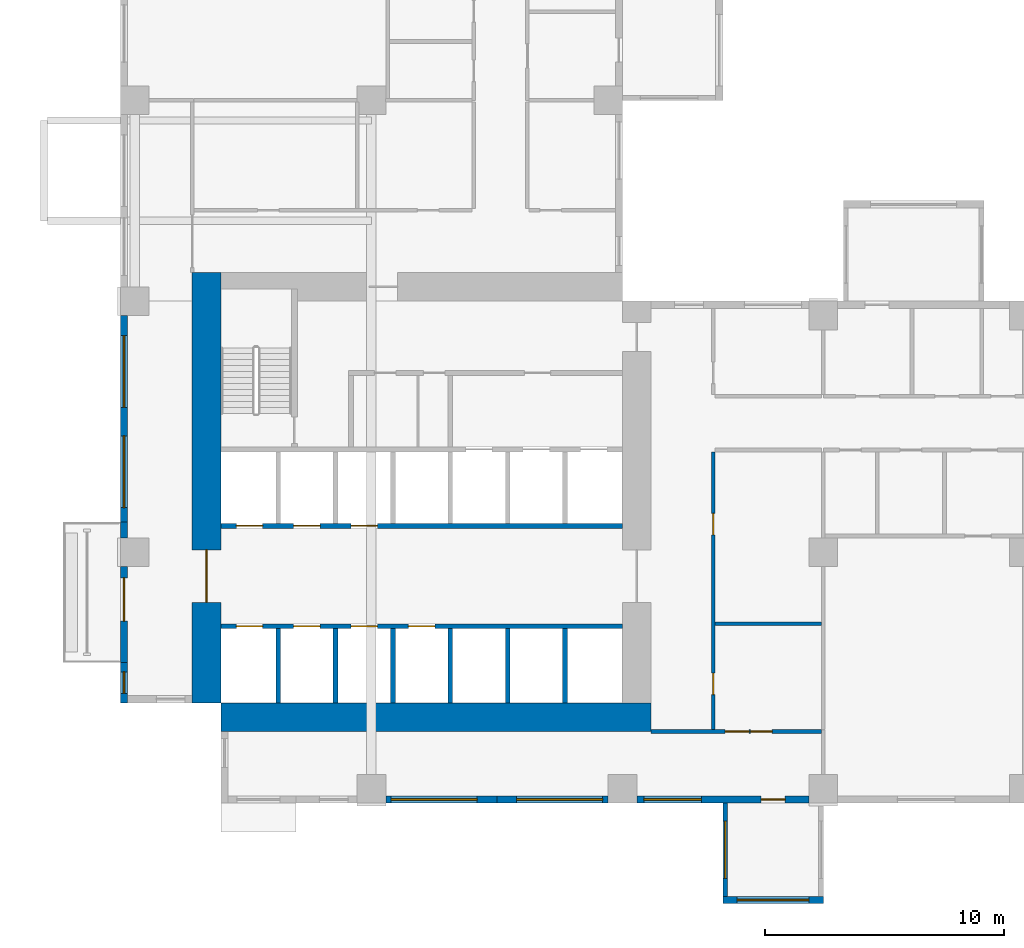
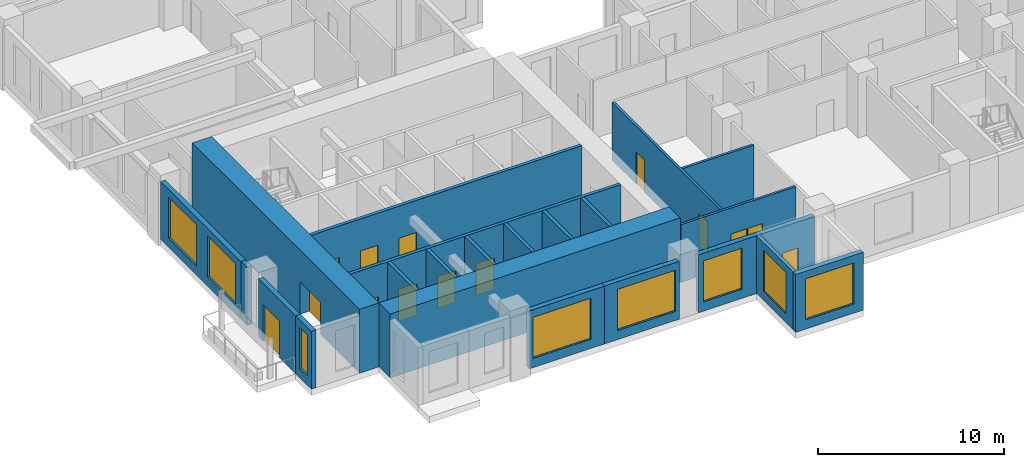
# One storey, part 2 of 15: 22 walls, 14 doors, 8 windows, 22 openings.
"""IFC4 building model written with IfcOpenShell, lengths in metres."""

from ifc_helpers import new_model, si_unit, direction, frame, frame_2d, origin, place, context, subcontext, project, spatial, rectangle, extrude, source, transform, mapped, material, layer, layer_set, type_object, element, fill, save


model = new_model("IFC4")

# Units and contexts
model_context = context("Model", 3, precision=1e-05, world=origin(), true_north=direction((0.0, 1.0)))
body_context = subcontext(model_context, "Body", "Model", "MODEL_VIEW")
ifc_project = project(units=[si_unit("LENGTHUNIT", "METRE"), si_unit("AREAUNIT", "SQUARE_METRE"), si_unit("VOLUMEUNIT", "CUBIC_METRE"), si_unit("PLANEANGLEUNIT", "RADIAN"), si_unit("MASSUNIT", "GRAM", prefix="KILO")], contexts=[model_context])

# Site, building, storey
site_placement = place(None, origin())
site = spatial("IfcSite", under=ifc_project, at=site_placement, CompositionType="ELEMENT")
building_placement = place(site_placement, origin())
building = spatial("IfcBuilding", under=site, at=building_placement, Name="Aurelian Terraces", CompositionType="ELEMENT")
storey_placement = place(building_placement, frame((0.0, 0.0, 82.5)))
storey = spatial("IfcBuildingStorey", under=building, at=storey_placement, Name="L17", CompositionType="ELEMENT", Elevation=82.5)

# Wall, openings, windows
ifc_material_1 = material(Name="Terracotta rainscreen cladding", Category="masonry")
ifc_layer_1 = layer(ifc_material_1, 0.3)
ifc_layer_set_1 = layer_set([ifc_layer_1], Name="EW-300")
wall_type_1 = type_object("IfcWallType", Name="EW-300", PredefinedType="STANDARD", material=ifc_layer_set_1)
wall_1_placement = place(storey_placement, frame((0.15, 20.4, 0.0), z_axis=(0.0, 0.0, 1.0), x_axis=(0.0, -1.0, 0.0)))
wall_1 = element("IfcWall", 1, at=wall_1_placement, inside=storey, type_object=wall_type_1, Name="External wall L17 F14.33", PredefinedType="STANDARD", context=body_context, shape_type="SweptSolid", body=[
    extrude(rectangle(XDim=8.64, YDim=0.3, at=frame_2d((4.32, 0.0))), origin(), (0.0, 0.0, 1.0), 3.8),
])
shared_shape_1 = source(origin(), body_context, "Body", "SweptSolid", [
    extrude(rectangle(XDim=3.0, YDim=2.7, at=frame_2d((1.5, 1.35))), frame((0.0, 0.16, 0.0), z_axis=(0.0, -1.0, 0.0), x_axis=(1.0, 0.0, 0.0)), (0.0, 0.0, 1.0), 0.32),
])
opening_1_placement = place(wall_1_placement, frame((0.84, 0.0, 0.6)))
opening_1 = element("IfcOpeningElement", 2, at=opening_1_placement, cuts=wall_1, Name="Opening W3027", PredefinedType="OPENING", context=body_context, shape_type="MappedRepresentation", body=[
    mapped(shared_shape_1, transform((0.0, 0.0, 0.0), scale=1.0)),
])
opening_2_placement = place(wall_1_placement, frame((5.04, 0.0, 0.6)))
opening_2 = element("IfcOpeningElement", 3, at=opening_2_placement, cuts=wall_1, Name="Opening W3027", PredefinedType="OPENING", context=body_context, shape_type="MappedRepresentation", body=[
    mapped(shared_shape_1, transform((0.0, 0.0, 0.0), scale=1.0)),
])
ifc_material_2 = material(Name="Clear glazing", Category="glass")
window_type_1 = type_object("IfcWindowType", Name="W-3000x2700", PartitioningType="SINGLE_PANEL", PredefinedType="WINDOW", material=ifc_material_2)
shared_shape_2 = source(origin(), body_context, "Body", "SweptSolid", [
    extrude(rectangle(XDim=3.0, YDim=2.7, at=frame_2d((1.5, 1.35))), frame((0.0, 0.03, 0.0), z_axis=(0.0, -1.0, 0.0), x_axis=(1.0, 0.0, 0.0)), (0.0, 0.0, 1.0), 0.06),
])
window_1_placement = place(opening_1_placement, origin())
window_1 = element("IfcWindow", 4, at=window_1_placement, inside=storey, type_object=window_type_1, Name="Window L17 L17-F14-33-8", OverallHeight=2.7, OverallWidth=3.0, PartitioningType="SINGLE_PANEL", PredefinedType="WINDOW", context=body_context, shape_type="MappedRepresentation", body=[
    mapped(shared_shape_2, transform((0.0, 0.0, 0.0), scale=1.0)),
])
fill(opening_1, window_1)
window_2_placement = place(opening_2_placement, origin())
window_2 = element("IfcWindow", 5, at=window_2_placement, inside=storey, type_object=window_type_1, Name="Window L17 L17-F14-33-9", OverallHeight=2.7, OverallWidth=3.0, PartitioningType="SINGLE_PANEL", PredefinedType="WINDOW", context=body_context, shape_type="MappedRepresentation", body=[
    mapped(shared_shape_2, transform((0.0, 0.0, 0.0), scale=1.0)),
])
fill(opening_2, window_2)

# Wall
wall_2_placement = place(storey_placement, frame((0.15, 11.76, 0.0), z_axis=(0.0, 0.0, 1.0), x_axis=(0.0, -1.0, 0.0)))
element("IfcWall", 6, at=wall_2_placement, inside=storey, type_object=wall_type_1, Name="External wall L17 F14.34", PredefinedType="STANDARD", context=body_context, shape_type="SweptSolid", body=[
    extrude(rectangle(XDim=0.66, YDim=0.3, at=frame_2d((0.33, 0.0))), origin(), (0.0, 0.0, 1.0), 3.8),
])

# Wall, opening, door
wall_3_placement = place(storey_placement, frame((0.15, 9.9, 0.0), z_axis=(0.0, 0.0, 1.0), x_axis=(0.0, -1.0, 0.0)))
wall_3 = element("IfcWall", 7, at=wall_3_placement, inside=storey, type_object=wall_type_1, Name="External wall L17 F14.34", PredefinedType="STANDARD", context=body_context, shape_type="SweptSolid", body=[
    extrude(rectangle(XDim=4.02, YDim=0.3, at=frame_2d((2.01, 0.0))), origin(), (0.0, 0.0, 1.0), 3.8),
])
shared_shape_3 = source(origin(), body_context, "Body", "SweptSolid", [
    extrude(rectangle(XDim=1.8, YDim=2.4, at=frame_2d((0.9, 1.2))), frame((0.0, 0.16, 0.0), z_axis=(0.0, -1.0, 0.0), x_axis=(1.0, 0.0, 0.0)), (0.0, 0.0, 1.0), 0.32),
])
opening_3_placement = place(wall_3_placement, frame((0.48, 0.0, 0.0)))
opening_3 = element("IfcOpeningElement", 8, at=opening_3_placement, cuts=wall_3, Name="Opening 81704", PredefinedType="OPENING", context=body_context, shape_type="MappedRepresentation", body=[
    mapped(shared_shape_3, transform((0.0, 0.0, 0.0), scale=1.0)),
])
door_type_1 = type_object("IfcDoorType", Name="BD-1800x2400", OperationType="SLIDING_TO_LEFT", PredefinedType="DOOR", material=ifc_material_2)
shared_shape_4 = source(origin(), body_context, "Body", "SweptSolid", [
    extrude(rectangle(XDim=1.8, YDim=2.4, at=frame_2d((0.9, 1.2))), frame((0.0, 0.025, 0.0), z_axis=(0.0, -1.0, 0.0), x_axis=(1.0, 0.0, 0.0)), (0.0, 0.0, 1.0), 0.05),
])
door_1_placement = place(opening_3_placement, origin())
door_1 = element("IfcDoor", 9, at=door_1_placement, inside=storey, type_object=door_type_1, Name="Balcony door L17 F14.34", OperationType="SLIDING_TO_LEFT", OverallHeight=2.4, OverallWidth=1.8, PredefinedType="DOOR", context=body_context, shape_type="MappedRepresentation", body=[
    mapped(shared_shape_4, transform((0.0, 0.0, 0.0), scale=1.0)),
])
fill(opening_3, door_1)

ifc_material_3 = material(Name="Concrete fc' 83 MPa", Category="concrete")
ifc_layer_2 = layer(ifc_material_3, 1.2)
ifc_layer_set_2 = layer_set([ifc_layer_2], Name="CORE WALL 1200 FC83")
wall_type_2 = type_object("IfcWallType", Name="CORE WALL 1200 FC83", PredefinedType="SHEAR", material=ifc_layer_set_2)
shared_shape_5 = source(origin(), body_context, "Body", "SweptSolid", [
    extrude(rectangle(XDim=18.0, YDim=1.2, at=frame_2d((9.0, 0.0))), origin(), (0.0, 0.0, 1.0), 4.2),
])
wall_4_placement = place(storey_placement, frame((3.6, 4.2, 0.0), z_axis=(0.0, 0.0, 1.0), x_axis=(0.0, 1.0, 0.0)))
wall_4 = element("IfcWall", 10, at=wall_4_placement, inside=storey, type_object=wall_type_2, Name="Core wall W L17", PredefinedType="SHEAR", context=body_context, shape_type="MappedRepresentation", body=[
    mapped(shared_shape_5, transform((0.0, 0.0, 0.0), scale=1.0)),
])
shared_shape_6 = source(origin(), body_context, "Body", "SweptSolid", [
    extrude(rectangle(XDim=2.2, YDim=2.1, at=frame_2d((1.1, 1.05))), frame((0.0, 0.61, 0.0), z_axis=(0.0, -1.0, 0.0), x_axis=(1.0, 0.0, 0.0)), (0.0, 0.0, 1.0), 1.22),
])
opening_4_placement = place(wall_4_placement, frame((4.2, 0.0, 0.0)))
opening_4 = element("IfcOpeningElement", 11, at=opening_4_placement, cuts=wall_4, Name="Opening 62021", PredefinedType="OPENING", context=body_context, shape_type="MappedRepresentation", body=[
    mapped(shared_shape_6, transform((0.0, 0.0, 0.0), scale=1.0)),
])
ifc_material_4 = material(Name="Steel door leaf", Category="steel")
door_type_2 = type_object("IfcDoorType", Name="Core double door 2200x2100", OperationType="DOUBLE_DOOR_SINGLE_SWING", PredefinedType="DOOR", material=ifc_material_4)
shared_shape_7 = source(origin(), body_context, "Body", "SweptSolid", [
    extrude(rectangle(XDim=2.2, YDim=2.1, at=frame_2d((1.1, 1.05))), frame((0.0, 0.025, 0.0), z_axis=(0.0, -1.0, 0.0), x_axis=(1.0, 0.0, 0.0)), (0.0, 0.0, 1.0), 0.05),
])
door_2_placement = place(opening_4_placement, origin())
door_2 = element("IfcDoor", 12, at=door_2_placement, inside=storey, type_object=door_type_2, Name="Core door 62021", OperationType="DOUBLE_DOOR_SINGLE_SWING", OverallHeight=2.1, OverallWidth=2.2, PredefinedType="DOOR", context=body_context, shape_type="MappedRepresentation", body=[
    mapped(shared_shape_7, transform((0.0, 0.0, 0.0), scale=1.0)),
])
fill(opening_4, door_2)

# Wall
wall_5_placement = place(storey_placement, frame((4.2, 3.6, 0.0), z_axis=(0.0, 0.0, 1.0), x_axis=(1.0, 0.0, 0.0)))
element("IfcWall", 13, at=wall_5_placement, inside=storey, type_object=wall_type_2, Name="Core wall S L17", PredefinedType="SHEAR", context=body_context, shape_type="MappedRepresentation", body=[
    mapped(shared_shape_5, transform((0.0, 0.0, 0.0), scale=1.0)),
])

# Wall, opening, window
shared_shape_8 = source(origin(), body_context, "Body", "SweptSolid", [
    extrude(rectangle(XDim=4.65, YDim=0.3, at=frame_2d((2.325, 0.0))), origin(), (0.0, 0.0, 1.0), 3.8),
])
wall_6_placement = place(storey_placement, frame((11.1, 0.15, 0.0), z_axis=(0.0, 0.0, 1.0), x_axis=(1.0, 0.0, 0.0)))
wall_6 = element("IfcWall", 14, at=wall_6_placement, inside=storey, type_object=wall_type_1, Name="External wall L17 F01.3", PredefinedType="STANDARD", context=body_context, shape_type="MappedRepresentation", body=[
    mapped(shared_shape_8, transform((0.0, 0.0, 0.0), scale=1.0)),
])
shared_shape_9 = source(origin(), body_context, "Body", "SweptSolid", [
    extrude(rectangle(XDim=3.6, YDim=2.7, at=frame_2d((1.8, 1.35))), frame((0.0, 0.16, 0.0), z_axis=(0.0, -1.0, 0.0), x_axis=(1.0, 0.0, 0.0)), (0.0, 0.0, 1.0), 0.32),
])
opening_5_placement = place(wall_6_placement, frame((0.225, 0.0, 0.6)))
opening_5 = element("IfcOpeningElement", 15, at=opening_5_placement, cuts=wall_6, Name="Opening W3627", PredefinedType="OPENING", context=body_context, shape_type="MappedRepresentation", body=[
    mapped(shared_shape_9, transform((0.0, 0.0, 0.0), scale=1.0)),
])
window_type_2 = type_object("IfcWindowType", Name="W-3600x2700", PartitioningType="SINGLE_PANEL", PredefinedType="WINDOW", material=ifc_material_2)
shared_shape_10 = source(origin(), body_context, "Body", "SweptSolid", [
    extrude(rectangle(XDim=3.6, YDim=2.7, at=frame_2d((1.8, 1.35))), frame((0.0, 0.03, 0.0), z_axis=(0.0, -1.0, 0.0), x_axis=(1.0, 0.0, 0.0)), (0.0, 0.0, 1.0), 0.06),
])
window_3_placement = place(opening_5_placement, origin())
window_3 = element("IfcWindow", 16, at=window_3_placement, inside=storey, type_object=window_type_2, Name="Window L17 L17-F01-03-0", OverallHeight=2.7, OverallWidth=3.6, PartitioningType="SINGLE_PANEL", PredefinedType="WINDOW", context=body_context, shape_type="MappedRepresentation", body=[
    mapped(shared_shape_10, transform((0.0, 0.0, 0.0), scale=1.0)),
])
fill(opening_5, window_3)

wall_7_placement = place(storey_placement, frame((15.75, 0.15, 0.0), z_axis=(0.0, 0.0, 1.0), x_axis=(1.0, 0.0, 0.0)))
wall_7 = element("IfcWall", 17, at=wall_7_placement, inside=storey, type_object=wall_type_1, Name="External wall L17 F01.4", PredefinedType="STANDARD", context=body_context, shape_type="MappedRepresentation", body=[
    mapped(shared_shape_8, transform((0.0, 0.0, 0.0), scale=1.0)),
])
opening_6_placement = place(wall_7_placement, frame((0.825, 0.0, 0.6)))
opening_6 = element("IfcOpeningElement", 18, at=opening_6_placement, cuts=wall_7, Name="Opening W3627", PredefinedType="OPENING", context=body_context, shape_type="MappedRepresentation", body=[
    mapped(shared_shape_9, transform((0.0, 0.0, 0.0), scale=1.0)),
])
window_4_placement = place(opening_6_placement, origin())
window_4 = element("IfcWindow", 19, at=window_4_placement, inside=storey, type_object=window_type_2, Name="Window L17 L17-F01-04-0", OverallHeight=2.7, OverallWidth=3.6, PartitioningType="SINGLE_PANEL", PredefinedType="WINDOW", context=body_context, shape_type="MappedRepresentation", body=[
    mapped(shared_shape_10, transform((0.0, 0.0, 0.0), scale=1.0)),
])
fill(opening_6, window_4)

# Wall, openings, window, door
shared_shape_11 = source(origin(), body_context, "Body", "SweptSolid", [
    extrude(rectangle(XDim=7.2, YDim=0.3, at=frame_2d((3.6, 0.0))), origin(), (0.0, 0.0, 1.0), 3.8),
])
wall_8_placement = place(storey_placement, frame((21.6, 0.15, 0.0), z_axis=(0.0, 0.0, 1.0), x_axis=(1.0, 0.0, 0.0)))
wall_8 = element("IfcWall", 20, at=wall_8_placement, inside=storey, type_object=wall_type_1, Name="External wall L17 F01.5", PredefinedType="STANDARD", context=body_context, shape_type="MappedRepresentation", body=[
    mapped(shared_shape_11, transform((0.0, 0.0, 0.0), scale=1.0)),
])
shared_shape_12 = source(origin(), body_context, "Body", "SweptSolid", [
    extrude(rectangle(XDim=2.4, YDim=2.7, at=frame_2d((1.2, 1.35))), frame((0.0, 0.16, 0.0), z_axis=(0.0, -1.0, 0.0), x_axis=(1.0, 0.0, 0.0)), (0.0, 0.0, 1.0), 0.32),
])
opening_7_placement = place(wall_8_placement, frame((0.3, 0.0, 0.6)))
opening_7 = element("IfcOpeningElement", 21, at=opening_7_placement, cuts=wall_8, Name="Opening W2427", PredefinedType="OPENING", context=body_context, shape_type="MappedRepresentation", body=[
    mapped(shared_shape_12, transform((0.0, 0.0, 0.0), scale=1.0)),
])
shared_shape_13 = source(origin(), body_context, "Body", "SweptSolid", [
    extrude(rectangle(XDim=1.0, YDim=2.1, at=frame_2d((0.5, 1.05))), frame((0.0, 0.16, 0.0), z_axis=(0.0, -1.0, 0.0), x_axis=(1.0, 0.0, 0.0)), (0.0, 0.0, 1.0), 0.32),
])
opening_8_placement = place(wall_8_placement, frame((5.2, 0.0, 0.0)))
opening_8 = element("IfcOpeningElement", 22, at=opening_8_placement, cuts=wall_8, Name="Opening 817001", PredefinedType="OPENING", context=body_context, shape_type="MappedRepresentation", body=[
    mapped(shared_shape_13, transform((0.0, 0.0, 0.0), scale=1.0)),
])
window_type_3 = type_object("IfcWindowType", Name="W-2400x2700", PartitioningType="SINGLE_PANEL", PredefinedType="WINDOW", material=ifc_material_2)
shared_shape_14 = source(origin(), body_context, "Body", "SweptSolid", [
    extrude(rectangle(XDim=2.4, YDim=2.7, at=frame_2d((1.2, 1.35))), frame((0.0, 0.03, 0.0), z_axis=(0.0, -1.0, 0.0), x_axis=(1.0, 0.0, 0.0)), (0.0, 0.0, 1.0), 0.06),
])
window_5_placement = place(opening_7_placement, origin())
window_5 = element("IfcWindow", 23, at=window_5_placement, inside=storey, type_object=window_type_3, Name="Window L17 L17-F01-05-0", OverallHeight=2.7, OverallWidth=2.4, PartitioningType="SINGLE_PANEL", PredefinedType="WINDOW", context=body_context, shape_type="MappedRepresentation", body=[
    mapped(shared_shape_14, transform((0.0, 0.0, 0.0), scale=1.0)),
])
fill(opening_7, window_5)
ifc_material_5 = material(Name="Timber door leaf", Category="wood")
door_type_3 = type_object("IfcDoorType", Name="Room door 1000x2100 left", OperationType="SINGLE_SWING_LEFT", PredefinedType="DOOR", material=ifc_material_5)
shared_shape_15 = source(origin(), body_context, "Body", "SweptSolid", [
    extrude(rectangle(XDim=1.0, YDim=2.1, at=frame_2d((0.5, 1.05))), frame((0.0, 0.025, 0.0), z_axis=(0.0, -1.0, 0.0), x_axis=(1.0, 0.0, 0.0)), (0.0, 0.0, 1.0), 0.05),
])
door_3_placement = place(opening_8_placement, origin())
door_3 = element("IfcDoor", 24, at=door_3_placement, inside=storey, type_object=door_type_3, Name="Door 817001", OperationType="SINGLE_SWING_LEFT", OverallHeight=2.1, OverallWidth=1.0, PredefinedType="DOOR", context=body_context, shape_type="MappedRepresentation", body=[
    mapped(shared_shape_15, transform((0.0, 0.0, 0.0), scale=1.0)),
])
fill(opening_8, door_3)

# Wall, opening, window
shared_shape_16 = source(origin(), body_context, "Body", "SweptSolid", [
    extrude(rectangle(XDim=1.68, YDim=0.3, at=frame_2d((0.84, 0.0))), origin(), (0.0, 0.0, 1.0), 3.8),
])
wall_9_placement = place(storey_placement, frame((0.15, 5.88, 0.0), z_axis=(0.0, 0.0, 1.0), x_axis=(0.0, -1.0, 0.0)))
wall_9 = element("IfcWall", 25, at=wall_9_placement, inside=storey, type_object=wall_type_1, Name="External wall L17 F14.35", PredefinedType="STANDARD", context=body_context, shape_type="MappedRepresentation", body=[
    mapped(shared_shape_16, transform((0.0, 0.0, 0.0), scale=1.0)),
])
shared_shape_17 = source(origin(), body_context, "Body", "SweptSolid", [
    extrude(rectangle(XDim=0.9, YDim=2.7, at=frame_2d((0.45, 1.35))), frame((0.0, 0.16, 0.0), z_axis=(0.0, -1.0, 0.0), x_axis=(1.0, 0.0, 0.0)), (0.0, 0.0, 1.0), 0.32),
])
opening_9_placement = place(wall_9_placement, frame((0.39, 0.0, 0.6)))
opening_9 = element("IfcOpeningElement", 26, at=opening_9_placement, cuts=wall_9, Name="Opening W0927", PredefinedType="OPENING", context=body_context, shape_type="MappedRepresentation", body=[
    mapped(shared_shape_17, transform((0.0, 0.0, 0.0), scale=1.0)),
])
window_type_4 = type_object("IfcWindowType", Name="W-900x2700", PartitioningType="SINGLE_PANEL", PredefinedType="WINDOW", material=ifc_material_2)
shared_shape_18 = source(origin(), body_context, "Body", "SweptSolid", [
    extrude(rectangle(XDim=0.9, YDim=2.7, at=frame_2d((0.45, 1.35))), frame((0.0, 0.03, 0.0), z_axis=(0.0, -1.0, 0.0), x_axis=(1.0, 0.0, 0.0)), (0.0, 0.0, 1.0), 0.06),
])
window_6_placement = place(opening_9_placement, origin())
window_6 = element("IfcWindow", 27, at=window_6_placement, inside=storey, type_object=window_type_4, Name="Window L17 L17-F14-35-P0", OverallHeight=2.7, OverallWidth=0.9, PartitioningType="SINGLE_PANEL", PredefinedType="WINDOW", context=body_context, shape_type="MappedRepresentation", body=[
    mapped(shared_shape_18, transform((0.0, 0.0, 0.0), scale=1.0)),
])
fill(opening_9, window_6)

ifc_material_6 = material(Name="Concrete fc' 40 MPa", Category="concrete")
ifc_layer_3 = layer(ifc_material_6, 0.2)
ifc_layer_set_3 = layer_set([ifc_layer_3], Name="BOX BEARING WALL 200")
wall_type_3 = type_object("IfcWallType", Name="BOX BEARING WALL 200", PredefinedType="SOLIDWALL", material=ifc_layer_set_3)
shared_shape_19 = source(origin(), body_context, "Body", "SweptSolid", [
    extrude(rectangle(XDim=3.9, YDim=0.2, at=frame_2d((1.95, 0.0))), origin(), (0.0, 0.0, 1.0), 3.8),
])
wall_10_placement = place(storey_placement, frame((25.3, 0.0, 0.0), z_axis=(0.0, 0.0, 1.0), x_axis=(0.0, -1.0, 0.0)))
wall_10 = element("IfcWall", 28, at=wall_10_placement, inside=storey, type_object=wall_type_3, Name="Box return L17 J19.1", PredefinedType="SOLIDWALL", context=body_context, shape_type="MappedRepresentation", body=[
    mapped(shared_shape_19, transform((0.0, 0.0, 0.0), scale=1.0)),
])
shared_shape_20 = source(origin(), body_context, "Body", "SweptSolid", [
    extrude(rectangle(XDim=2.4, YDim=2.7, at=frame_2d((1.2, 1.35))), frame((0.0, 0.11, 0.0), z_axis=(0.0, -1.0, 0.0), x_axis=(1.0, 0.0, 0.0)), (0.0, 0.0, 1.0), 0.22),
])
opening_10_placement = place(wall_10_placement, frame((0.75, 0.0, 0.6)))
opening_10 = element("IfcOpeningElement", 29, at=opening_10_placement, cuts=wall_10, Name="Opening W2427", PredefinedType="OPENING", context=body_context, shape_type="MappedRepresentation", body=[
    mapped(shared_shape_20, transform((0.0, 0.0, 0.0), scale=1.0)),
])
window_7_placement = place(opening_10_placement, origin())
window_7 = element("IfcWindow", 30, at=window_7_placement, inside=storey, type_object=window_type_3, Name="Window L17 J19-S1", OverallHeight=2.7, OverallWidth=2.4, PartitioningType="SINGLE_PANEL", PredefinedType="WINDOW", context=body_context, shape_type="MappedRepresentation", body=[
    mapped(shared_shape_14, transform((0.0, 0.0, 0.0), scale=1.0)),
])
fill(opening_10, window_7)

ifc_layer_4 = layer(ifc_material_6, 0.3)
ifc_layer_set_4 = layer_set([ifc_layer_4], Name="BOX BEARING WALL 300")
wall_type_4 = type_object("IfcWallType", Name="BOX BEARING WALL 300", PredefinedType="SOLIDWALL", material=ifc_layer_set_4)
shared_shape_21 = source(origin(), body_context, "Body", "SweptSolid", [
    extrude(rectangle(XDim=4.2, YDim=0.3, at=frame_2d((2.1, 0.0))), origin(), (0.0, 0.0, 1.0), 3.8),
])
wall_11_placement = place(storey_placement, frame((25.2, -4.05, 0.0), z_axis=(0.0, 0.0, 1.0), x_axis=(1.0, 0.0, 0.0)))
wall_11 = element("IfcWall", 31, at=wall_11_placement, inside=storey, type_object=wall_type_4, Name="Box wall L17 J19", PredefinedType="SOLIDWALL", context=body_context, shape_type="MappedRepresentation", body=[
    mapped(shared_shape_21, transform((0.0, 0.0, 0.0), scale=1.0)),
])
opening_11_placement = place(wall_11_placement, frame((0.6, 0.0, 0.6)))
opening_11 = element("IfcOpeningElement", 32, at=opening_11_placement, cuts=wall_11, Name="Opening W3027", PredefinedType="OPENING", context=body_context, shape_type="MappedRepresentation", body=[
    mapped(shared_shape_1, transform((0.0, 0.0, 0.0), scale=1.0)),
])
window_8_placement = place(opening_11_placement, origin())
window_8 = element("IfcWindow", 33, at=window_8_placement, inside=storey, type_object=window_type_1, Name="Window L17 J19-F1", OverallHeight=2.7, OverallWidth=3.0, PartitioningType="SINGLE_PANEL", PredefinedType="WINDOW", context=body_context, shape_type="MappedRepresentation", body=[
    mapped(shared_shape_2, transform((0.0, 0.0, 0.0), scale=1.0)),
])
fill(opening_11, window_8)

# Walls
ifc_layer_5 = layer(ifc_material_6, 0.2)
ifc_layer_set_5 = layer_set([ifc_layer_5], Name="Lift shaft wall 200")
wall_type_5 = type_object("IfcWallType", Name="Lift shaft wall 200", PredefinedType="SOLIDWALL", material=ifc_layer_set_5)
shared_shape_22 = source(origin(), body_context, "Body", "SweptSolid", [
    extrude(rectangle(XDim=3.1, YDim=0.2, at=frame_2d((1.55, 0.0))), origin(), (0.0, 0.0, 1.0), 4.2),
])
for number, where, z_axis, x_axis, name in (
    (34, (6.6, 4.2, 0.0), (0.0, 0.0, 1.0), (0.0, 1.0, 0.0), "L17 core wall CD-A1"),
    (35, (9.0, 4.2, 0.0), (0.0, 0.0, 1.0), (0.0, 1.0, 0.0), "L17 core wall CD-A2"),
    (36, (11.4, 4.2, 0.0), (0.0, 0.0, 1.0), (0.0, 1.0, 0.0), "L17 core wall CD-A3"),
    (37, (13.8, 4.2, 0.0), (0.0, 0.0, 1.0), (0.0, 1.0, 0.0), "L17 core wall CD-A4"),
    (38, (16.2, 4.2, 0.0), (0.0, 0.0, 1.0), (0.0, 1.0, 0.0), "L17 core wall CD-A5"),
    (39, (18.6, 4.2, 0.0), (0.0, 0.0, 1.0), (0.0, 1.0, 0.0), "L17 core wall CD-A6"),
):
    element("IfcWall", number, at=place(storey_placement, frame(where, z_axis=z_axis, x_axis=x_axis)), inside=storey, type_object=wall_type_5, Name=name, PredefinedType="SOLIDWALL", context=body_context, shape_type="MappedRepresentation", body=[
        mapped(shared_shape_22, transform((0.0, 0.0, 0.0), scale=1.0)),
    ])

# Wall, openings, doors
shared_shape_23 = source(origin(), body_context, "Body", "SweptSolid", [
    extrude(rectangle(XDim=16.8, YDim=0.2, at=frame_2d((8.4, 0.0))), origin(), (0.0, 0.0, 1.0), 4.2),
])
wall_12_placement = place(storey_placement, frame((4.2, 7.4, 0.0), z_axis=(0.0, 0.0, 1.0), x_axis=(1.0, 0.0, 0.0)))
wall_12 = element("IfcWall", 40, at=wall_12_placement, inside=storey, type_object=wall_type_5, Name="L17 core wall CF-AF1", PredefinedType="SOLIDWALL", context=body_context, shape_type="MappedRepresentation", body=[
    mapped(shared_shape_23, transform((0.0, 0.0, 0.0), scale=1.0)),
])
shared_shape_24 = source(origin(), body_context, "Body", "SweptSolid", [
    extrude(rectangle(XDim=1.1, YDim=2.1, at=frame_2d((0.55, 1.05))), frame((0.0, 0.11, 0.0), z_axis=(0.0, -1.0, 0.0), x_axis=(1.0, 0.0, 0.0)), (0.0, 0.0, 1.0), 0.22),
])
opening_12_placement = place(wall_12_placement, frame((0.65, 0.0, 0.0)))
opening_12 = element("IfcOpeningElement", 41, at=opening_12_placement, cuts=wall_12, Name="Opening 62000", PredefinedType="OPENING", context=body_context, shape_type="MappedRepresentation", body=[
    mapped(shared_shape_24, transform((0.0, 0.0, 0.0), scale=1.0)),
])
opening_13_placement = place(wall_12_placement, frame((3.05, 0.0, 0.0)))
opening_13 = element("IfcOpeningElement", 42, at=opening_13_placement, cuts=wall_12, Name="Opening 62001", PredefinedType="OPENING", context=body_context, shape_type="MappedRepresentation", body=[
    mapped(shared_shape_24, transform((0.0, 0.0, 0.0), scale=1.0)),
])
opening_14_placement = place(wall_12_placement, frame((5.45, 0.0, 0.0)))
opening_14 = element("IfcOpeningElement", 43, at=opening_14_placement, cuts=wall_12, Name="Opening 62002", PredefinedType="OPENING", context=body_context, shape_type="MappedRepresentation", body=[
    mapped(shared_shape_24, transform((0.0, 0.0, 0.0), scale=1.0)),
])
opening_15_placement = place(wall_12_placement, frame((7.85, 0.0, 0.0)))
opening_15 = element("IfcOpeningElement", 44, at=opening_15_placement, cuts=wall_12, Name="Opening 62003", PredefinedType="OPENING", context=body_context, shape_type="MappedRepresentation", body=[
    mapped(shared_shape_24, transform((0.0, 0.0, 0.0), scale=1.0)),
])
ifc_material_7 = material(Name="Stainless steel", Category="steel")
door_type_4 = type_object("IfcDoorType", Name="Lift landing door 1100x2100", OperationType="SLIDING_TO_LEFT", PredefinedType="DOOR", material=ifc_material_7)
shared_shape_25 = source(origin(), body_context, "Body", "SweptSolid", [
    extrude(rectangle(XDim=1.1, YDim=2.1, at=frame_2d((0.55, 1.05))), frame((0.0, 0.025, 0.0), z_axis=(0.0, -1.0, 0.0), x_axis=(1.0, 0.0, 0.0)), (0.0, 0.0, 1.0), 0.05),
])
door_4_placement = place(opening_12_placement, origin())
door_4 = element("IfcDoor", 45, at=door_4_placement, inside=storey, type_object=door_type_4, Name="Lift landing door LL1 L17", OperationType="SLIDING_TO_LEFT", OverallHeight=2.1, OverallWidth=1.1, PredefinedType="DOOR", context=body_context, shape_type="MappedRepresentation", body=[
    mapped(shared_shape_25, transform((0.0, 0.0, 0.0), scale=1.0)),
])
fill(opening_12, door_4)
door_5_placement = place(opening_13_placement, origin())
door_5 = element("IfcDoor", 46, at=door_5_placement, inside=storey, type_object=door_type_4, Name="Lift landing door LL2 L17", OperationType="SLIDING_TO_LEFT", OverallHeight=2.1, OverallWidth=1.1, PredefinedType="DOOR", context=body_context, shape_type="MappedRepresentation", body=[
    mapped(shared_shape_25, transform((0.0, 0.0, 0.0), scale=1.0)),
])
fill(opening_13, door_5)
door_6_placement = place(opening_14_placement, origin())
door_6 = element("IfcDoor", 47, at=door_6_placement, inside=storey, type_object=door_type_4, Name="Lift landing door LL3 L17", OperationType="SLIDING_TO_LEFT", OverallHeight=2.1, OverallWidth=1.1, PredefinedType="DOOR", context=body_context, shape_type="MappedRepresentation", body=[
    mapped(shared_shape_25, transform((0.0, 0.0, 0.0), scale=1.0)),
])
fill(opening_14, door_6)
door_7_placement = place(opening_15_placement, origin())
door_7 = element("IfcDoor", 48, at=door_7_placement, inside=storey, type_object=door_type_4, Name="Lift landing door LL4 L17", OperationType="SLIDING_TO_LEFT", OverallHeight=2.1, OverallWidth=1.1, PredefinedType="DOOR", context=body_context, shape_type="MappedRepresentation", body=[
    mapped(shared_shape_25, transform((0.0, 0.0, 0.0), scale=1.0)),
])
fill(opening_15, door_7)

wall_13_placement = place(storey_placement, frame((4.2, 11.6, 0.0), z_axis=(0.0, 0.0, 1.0), x_axis=(1.0, 0.0, 0.0)))
wall_13 = element("IfcWall", 49, at=wall_13_placement, inside=storey, type_object=wall_type_5, Name="L17 core wall CF-BF1", PredefinedType="SOLIDWALL", context=body_context, shape_type="MappedRepresentation", body=[
    mapped(shared_shape_23, transform((0.0, 0.0, 0.0), scale=1.0)),
])
opening_16_placement = place(wall_13_placement, frame((0.65, 0.0, 0.0)))
opening_16 = element("IfcOpeningElement", 50, at=opening_16_placement, cuts=wall_13, Name="Opening 62004", PredefinedType="OPENING", context=body_context, shape_type="MappedRepresentation", body=[
    mapped(shared_shape_24, transform((0.0, 0.0, 0.0), scale=1.0)),
])
opening_17_placement = place(wall_13_placement, frame((3.05, 0.0, 0.0)))
opening_17 = element("IfcOpeningElement", 51, at=opening_17_placement, cuts=wall_13, Name="Opening 62005", PredefinedType="OPENING", context=body_context, shape_type="MappedRepresentation", body=[
    mapped(shared_shape_24, transform((0.0, 0.0, 0.0), scale=1.0)),
])
opening_18_placement = place(wall_13_placement, frame((5.45, 0.0, 0.0)))
opening_18 = element("IfcOpeningElement", 52, at=opening_18_placement, cuts=wall_13, Name="Opening 62006", PredefinedType="OPENING", context=body_context, shape_type="MappedRepresentation", body=[
    mapped(shared_shape_24, transform((0.0, 0.0, 0.0), scale=1.0)),
])
door_8_placement = place(opening_16_placement, origin())
door_8 = element("IfcDoor", 53, at=door_8_placement, inside=storey, type_object=door_type_4, Name="Lift landing door LL5 L17", OperationType="SLIDING_TO_LEFT", OverallHeight=2.1, OverallWidth=1.1, PredefinedType="DOOR", context=body_context, shape_type="MappedRepresentation", body=[
    mapped(shared_shape_25, transform((0.0, 0.0, 0.0), scale=1.0)),
])
fill(opening_16, door_8)
door_9_placement = place(opening_17_placement, origin())
door_9 = element("IfcDoor", 54, at=door_9_placement, inside=storey, type_object=door_type_4, Name="Lift landing door LL6 L17", OperationType="SLIDING_TO_LEFT", OverallHeight=2.1, OverallWidth=1.1, PredefinedType="DOOR", context=body_context, shape_type="MappedRepresentation", body=[
    mapped(shared_shape_25, transform((0.0, 0.0, 0.0), scale=1.0)),
])
fill(opening_17, door_9)
door_10_placement = place(opening_18_placement, origin())
door_10 = element("IfcDoor", 55, at=door_10_placement, inside=storey, type_object=door_type_4, Name="Lift landing door LL7 L17", OperationType="SLIDING_TO_LEFT", OverallHeight=2.1, OverallWidth=1.1, PredefinedType="DOOR", context=body_context, shape_type="MappedRepresentation", body=[
    mapped(shared_shape_25, transform((0.0, 0.0, 0.0), scale=1.0)),
])
fill(opening_18, door_10)

ifc_material_8 = material(Name="Gypsum board on steel studs", Category="steel")
ifc_layer_6 = layer(ifc_material_8, 0.15)
ifc_layer_set_6 = layer_set([ifc_layer_6], Name="Partition 150")
wall_type_6 = type_object("IfcWallType", Name="Partition 150", PredefinedType="PARTITIONING", material=ifc_layer_set_6)
shared_shape_26 = source(origin(), body_context, "Body", "SweptSolid", [
    extrude(rectangle(XDim=7.125, YDim=0.15, at=frame_2d((3.5625, 0.0))), origin(), (0.0, 0.0, 1.0), 3.8),
])
wall_14_placement = place(storey_placement, frame((22.2, 3.0, 0.0), z_axis=(0.0, 0.0, 1.0), x_axis=(1.0, 0.0, 0.0)))
wall_14 = element("IfcWall", 56, at=wall_14_placement, inside=storey, type_object=wall_type_6, Name="Partition", PredefinedType="PARTITIONING", context=body_context, shape_type="MappedRepresentation", body=[
    mapped(shared_shape_26, transform((0.0, 0.0, 0.0), scale=1.0)),
])
shared_shape_27 = source(origin(), body_context, "Body", "SweptSolid", [
    extrude(rectangle(XDim=1.0, YDim=2.1, at=frame_2d((0.5, 1.05))), frame((0.0, 0.085, 0.0), z_axis=(0.0, -1.0, 0.0), x_axis=(1.0, 0.0, 0.0)), (0.0, 0.0, 1.0), 0.17),
])
opening_19_placement = place(wall_14_placement, frame((3.1, 0.0, 0.0)))
opening_19 = element("IfcOpeningElement", 57, at=opening_19_placement, cuts=wall_14, Name="Opening 717004", PredefinedType="OPENING", context=body_context, shape_type="MappedRepresentation", body=[
    mapped(shared_shape_27, transform((0.0, 0.0, 0.0), scale=1.0)),
])
shared_shape_28 = source(origin(), body_context, "Body", "SweptSolid", [
    extrude(rectangle(XDim=0.9, YDim=2.1, at=frame_2d((0.45, 1.05))), frame((0.0, 0.085, 0.0), z_axis=(0.0, -1.0, 0.0), x_axis=(1.0, 0.0, 0.0)), (0.0, 0.0, 1.0), 0.17),
])
opening_20_placement = place(wall_14_placement, frame((4.162, 0.0, 0.0)))
opening_20 = element("IfcOpeningElement", 58, at=opening_20_placement, cuts=wall_14, Name="Opening 717048", PredefinedType="OPENING", context=body_context, shape_type="MappedRepresentation", body=[
    mapped(shared_shape_28, transform((0.0, 0.0, 0.0), scale=1.0)),
])
door_11_placement = place(opening_19_placement, origin())
door_11 = element("IfcDoor", 59, at=door_11_placement, inside=storey, type_object=door_type_3, Name="Door 717004", OperationType="SINGLE_SWING_LEFT", OverallHeight=2.1, OverallWidth=1.0, PredefinedType="DOOR", context=body_context, shape_type="MappedRepresentation", body=[
    mapped(shared_shape_15, transform((0.0, 0.0, 0.0), scale=1.0)),
])
fill(opening_19, door_11)
door_type_5 = type_object("IfcDoorType", Name="Room door 900x2100 left", OperationType="SINGLE_SWING_LEFT", PredefinedType="DOOR", material=ifc_material_5)
shared_shape_29 = source(origin(), body_context, "Body", "SweptSolid", [
    extrude(rectangle(XDim=0.9, YDim=2.1, at=frame_2d((0.45, 1.05))), frame((0.0, 0.025, 0.0), z_axis=(0.0, -1.0, 0.0), x_axis=(1.0, 0.0, 0.0)), (0.0, 0.0, 1.0), 0.05),
])
door_12_placement = place(opening_20_placement, origin())
door_12 = element("IfcDoor", 60, at=door_12_placement, inside=storey, type_object=door_type_5, Name="Door 717048", OperationType="SINGLE_SWING_LEFT", OverallHeight=2.1, OverallWidth=0.9, PredefinedType="DOOR", context=body_context, shape_type="MappedRepresentation", body=[
    mapped(shared_shape_29, transform((0.0, 0.0, 0.0), scale=1.0)),
])
fill(opening_20, door_12)

# Wall
shared_shape_30 = source(origin(), body_context, "Body", "SweptSolid", [
    extrude(rectangle(XDim=4.45, YDim=0.15, at=frame_2d((2.225, 0.0))), origin(), (0.0, 0.0, 1.0), 3.8),
])
wall_15_placement = place(storey_placement, frame((29.325, 7.5, 0.0), z_axis=(0.0, 0.0, 1.0), x_axis=(-1.0, 0.0, 0.0)))
element("IfcWall", 61, at=wall_15_placement, inside=storey, type_object=wall_type_6, Name="Partition", PredefinedType="PARTITIONING", context=body_context, shape_type="MappedRepresentation", body=[
    mapped(shared_shape_30, transform((0.0, 0.0, 0.0), scale=1.0)),
])

# Wall, openings, doors
shared_shape_31 = source(origin(), body_context, "Body", "SweptSolid", [
    extrude(rectangle(XDim=11.625, YDim=0.15, at=frame_2d((5.8125, 0.0))), origin(), (0.0, 0.0, 1.0), 3.8),
])
wall_16_placement = place(storey_placement, frame((24.8, 14.7, 0.0), z_axis=(0.0, 0.0, 1.0), x_axis=(0.0, -1.0, 0.0)))
wall_16 = element("IfcWall", 62, at=wall_16_placement, inside=storey, type_object=wall_type_6, Name="Partition", PredefinedType="PARTITIONING", context=body_context, shape_type="MappedRepresentation", body=[
    mapped(shared_shape_31, transform((0.0, 0.0, 0.0), scale=1.0)),
])
opening_21_placement = place(wall_16_placement, frame((9.2625, 0.0, 0.0)))
opening_21 = element("IfcOpeningElement", 63, at=opening_21_placement, cuts=wall_16, Name="Opening 717001", PredefinedType="OPENING", context=body_context, shape_type="MappedRepresentation", body=[
    mapped(shared_shape_28, transform((0.0, 0.0, 0.0), scale=1.0)),
])
opening_22_placement = place(wall_16_placement, frame((2.575, 0.0, 0.0)))
opening_22 = element("IfcOpeningElement", 64, at=opening_22_placement, cuts=wall_16, Name="Opening 717002", PredefinedType="OPENING", context=body_context, shape_type="MappedRepresentation", body=[
    mapped(shared_shape_28, transform((0.0, 0.0, 0.0), scale=1.0)),
])
door_type_6 = type_object("IfcDoorType", Name="Room door 900x2100 right", OperationType="SINGLE_SWING_RIGHT", PredefinedType="DOOR", material=ifc_material_5)
door_13_placement = place(opening_21_placement, origin())
door_13 = element("IfcDoor", 65, at=door_13_placement, inside=storey, type_object=door_type_6, Name="Door 717001", OperationType="SINGLE_SWING_RIGHT", OverallHeight=2.1, OverallWidth=0.9, PredefinedType="DOOR", context=body_context, shape_type="MappedRepresentation", body=[
    mapped(shared_shape_29, transform((0.0, 0.0, 0.0), scale=1.0)),
])
fill(opening_21, door_13)
door_14_placement = place(opening_22_placement, origin())
door_14 = element("IfcDoor", 66, at=door_14_placement, inside=storey, type_object=door_type_5, Name="Door 717002", OperationType="SINGLE_SWING_LEFT", OverallHeight=2.1, OverallWidth=0.9, PredefinedType="DOOR", context=body_context, shape_type="MappedRepresentation", body=[
    mapped(shared_shape_29, transform((0.0, 0.0, 0.0), scale=1.0)),
])
fill(opening_22, door_14)

save(model, "model.ifc")
